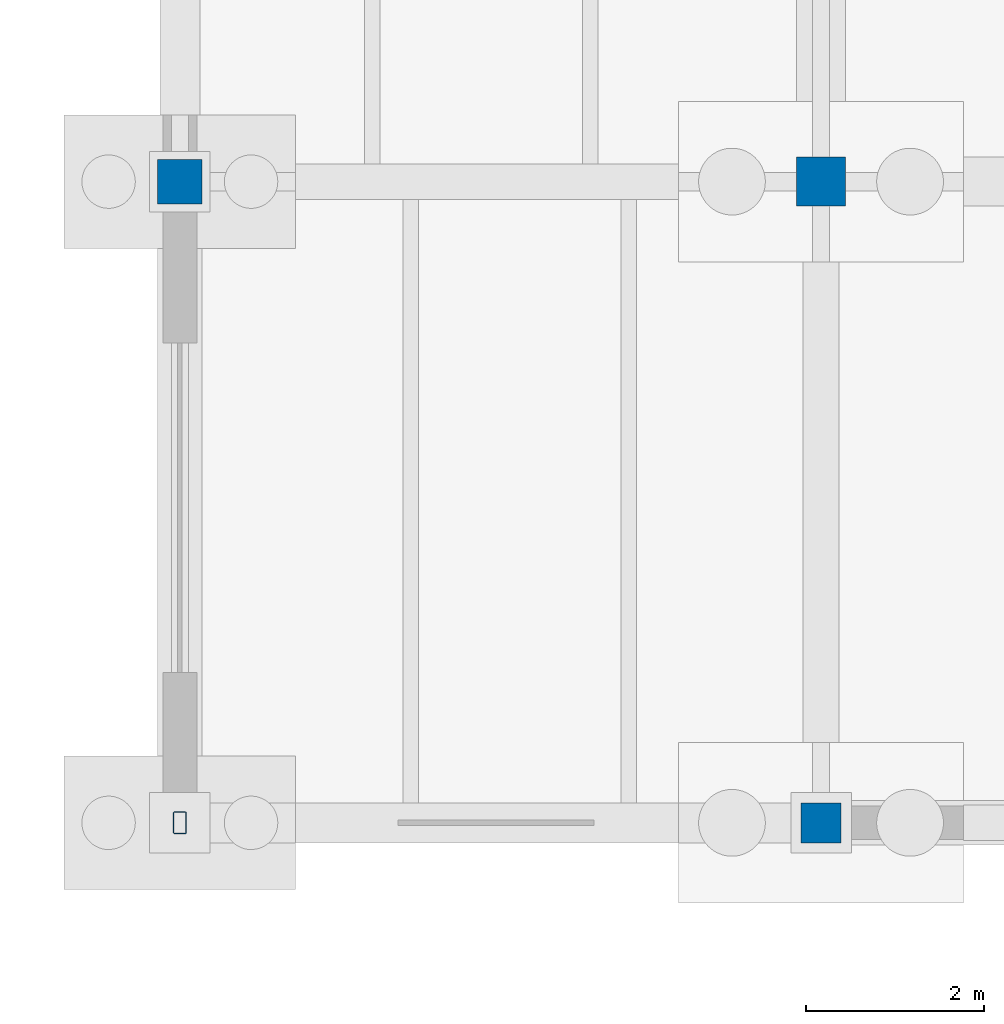
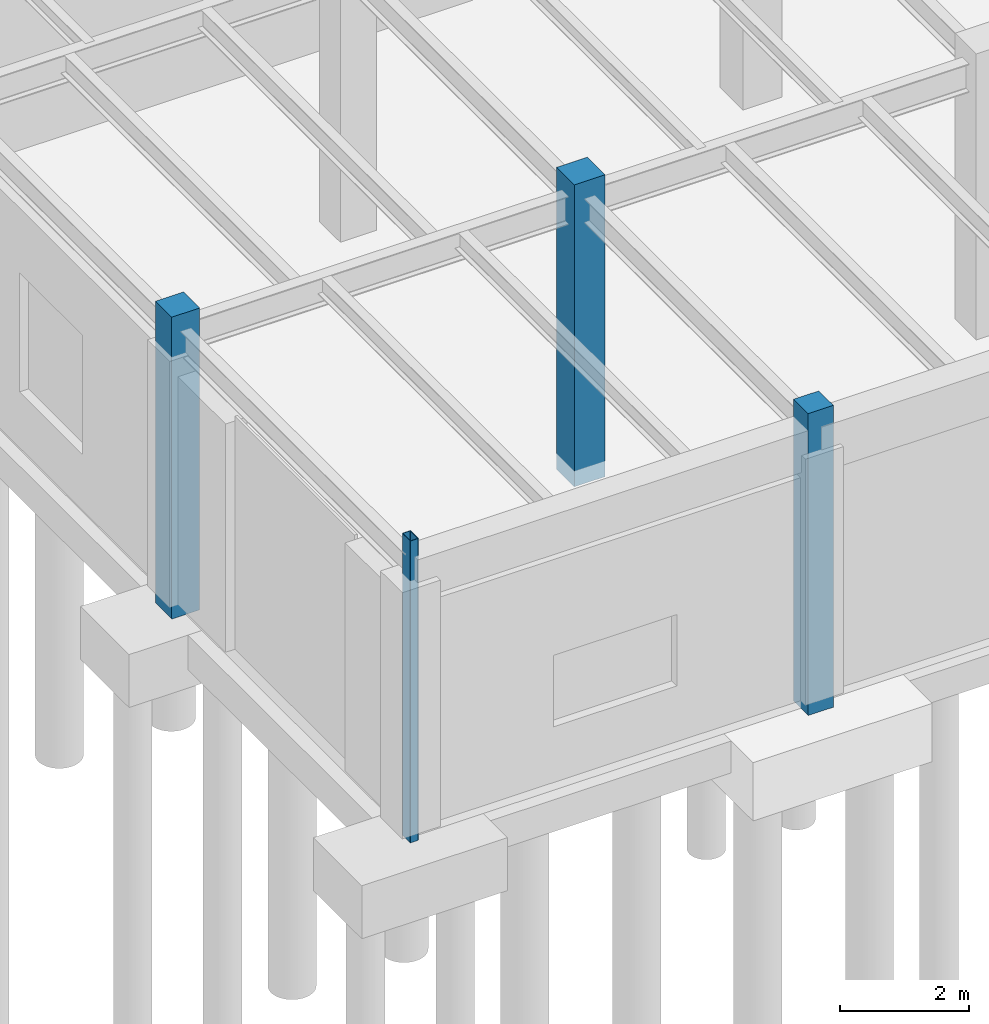
# One storey, part 21 of 293: 4 columns.
"""IFC4 building model written with IfcOpenShell, lengths in metres."""

from ifc_helpers import new_model, si_unit, direction, frame, origin, origin_2d, place, context, subcontext, project, spatial, rectangle, hollow_rectangle, extrude, material, material_profile, profile_set, type_object, element, save


model = new_model("IFC4")

# Units and contexts
model_context = context("Model", 3, precision=1e-05, world=origin(), true_north=direction((0.0, 1.0)))
body_context = subcontext(model_context, "Body", "Model", "MODEL_VIEW")
ifc_project = project(units=[si_unit("LENGTHUNIT", "METRE"), si_unit("AREAUNIT", "SQUARE_METRE"), si_unit("VOLUMEUNIT", "CUBIC_METRE"), si_unit("PLANEANGLEUNIT", "RADIAN"), si_unit("MASSUNIT", "GRAM", prefix="KILO")], contexts=[model_context])

# Site, building, storey
site_placement = place(None, origin())
site = spatial("IfcSite", under=ifc_project, at=site_placement, CompositionType="ELEMENT")
building_placement = place(site_placement, origin())
building = spatial("IfcBuilding", under=site, at=building_placement, Name="Kemerveld Promenade Tramway Depot", CompositionType="ELEMENT")
storey_placement = place(building_placement, origin())
storey = spatial("IfcBuildingStorey", under=building, at=storey_placement, Name="L00", CompositionType="ELEMENT", Elevation=0.0)

# Columns
ifc_material_1 = material(Name="Concrete C40/50", Category="concrete")
ifc_material_profile_1 = material_profile(ifc_material_1, rectangle(XDim=0.449951171875, YDim=0.449951171875, at=origin_2d()), Name="RC-COL-450x450")
ifc_profile_set_1 = profile_set([ifc_material_profile_1], Name="Concrete C40/50")
column_type_1 = type_object("IfcColumnType", Name="COL-RC5", PredefinedType="COLUMN", material=ifc_profile_set_1)
column_1_placement = place(storey_placement, frame((122.39990234375, 50.39990234375, -0.300048828125), z_axis=(0.0, 0.0, 1.0), x_axis=(1.0, 0.0, 0.0)))
element("IfcColumn", 1, at=column_1_placement, inside=storey, type_object=column_type_1, Name="COL-L00-18-H", PredefinedType="COLUMN", context=body_context, shape_type="SweptSolid", body=[
    extrude(rectangle(XDim=0.449951171875, YDim=0.449951171875, at=origin_2d()), origin(), (0.0, 0.0, 1.0), 5.699951171875),
])
ifc_material_profile_2 = material_profile(ifc_material_1, rectangle(XDim=0.5, YDim=0.5, at=origin_2d()), Name="RC-COL-500x500")
ifc_profile_set_2 = profile_set([ifc_material_profile_2], Name="Concrete C40/50")
column_type_2 = type_object("IfcColumnType", Name="COL-RC6", PredefinedType="COLUMN", material=ifc_profile_set_2)
column_2_placement = place(storey_placement, frame((115.199951171875, 57.60009765625, -0.300048828125), z_axis=(0.0, 0.0, 1.0), x_axis=(1.0, 0.0, 0.0)))
element("IfcColumn", 2, at=column_2_placement, inside=storey, type_object=column_type_2, Name="COL-L00-17-J", PredefinedType="COLUMN", context=body_context, shape_type="SweptSolid", body=[
    extrude(rectangle(XDim=0.5, YDim=0.5, at=origin_2d()), origin(), (0.0, 0.0, 1.0), 5.699951171875),
])
ifc_material_profile_3 = material_profile(ifc_material_1, rectangle(XDim=0.550048828125, YDim=0.550048828125, at=origin_2d()), Name="RC-COL-550x550")
ifc_profile_set_3 = profile_set([ifc_material_profile_3], Name="Concrete C40/50")
column_type_3 = type_object("IfcColumnType", Name="COL-RC7", PredefinedType="COLUMN", material=ifc_profile_set_3)
column_3_placement = place(storey_placement, frame((122.39990234375, 57.60009765625, -0.300048828125), z_axis=(0.0, 0.0, 1.0), x_axis=(1.0, 0.0, 0.0)))
element("IfcColumn", 3, at=column_3_placement, inside=storey, type_object=column_type_3, Name="COL-L00-18-J", PredefinedType="COLUMN", context=body_context, shape_type="SweptSolid", body=[
    extrude(rectangle(XDim=0.550048828125, YDim=0.550048828125, at=origin_2d()), origin(), (0.0, 0.0, 1.0), 5.699951171875),
])
ifc_material_2 = material(Name="Steel S355", Category="steel")
ifc_material_profile_4 = material_profile(ifc_material_2, hollow_rectangle(XDim=0.14990234375, YDim=0.25, WallThickness=0.010009765625, InnerFilletRadius=0.0048828125, OuterFilletRadius=0.014892578125, at=origin_2d()), Name="250x150x10.0 RHS")
ifc_profile_set_4 = profile_set([ifc_material_profile_4], Name="Steel S355")
column_type_4 = type_object("IfcColumnType", Name="COL-S16", PredefinedType="COLUMN", material=ifc_profile_set_4)
column_4_placement = place(storey_placement, frame((115.199951171875, 50.39990234375, -0.300048828125), z_axis=(0.0, 0.0, 1.0), x_axis=(1.0, 0.0, 0.0)))
element("IfcColumn", 4, at=column_4_placement, inside=storey, type_object=column_type_4, Name="COL-L00-17-H", PredefinedType="COLUMN", context=body_context, shape_type="SweptSolid", body=[
    extrude(hollow_rectangle(XDim=0.14990234375, YDim=0.25, WallThickness=0.010009765625, InnerFilletRadius=0.0048828125, OuterFilletRadius=0.014892578125, at=origin_2d()), origin(), (0.0, 0.0, 1.0), 5.699951171875),
])

save(model, "model.ifc")
